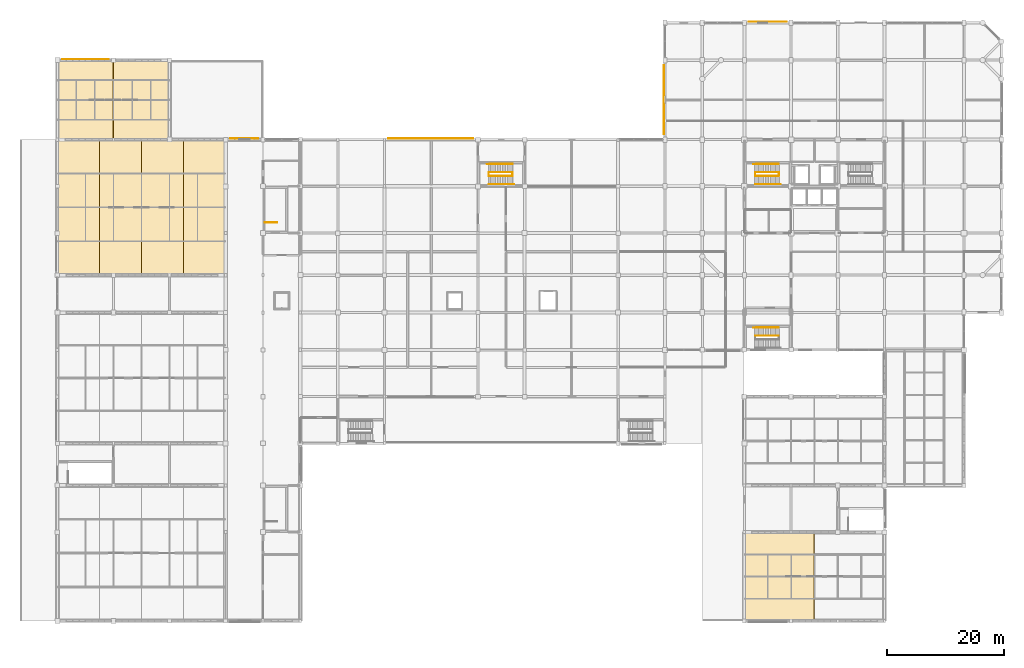
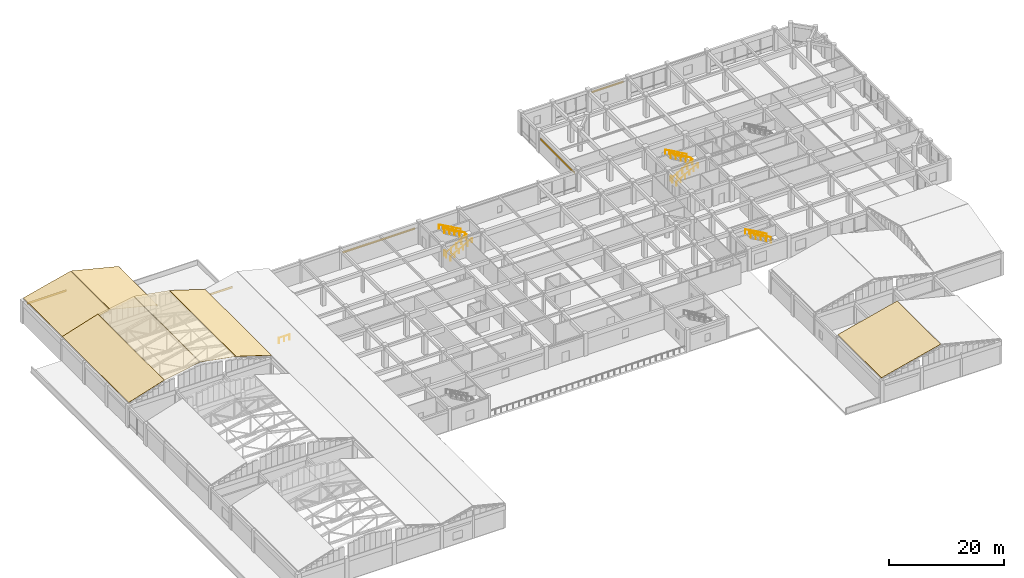
# One storey, part 60 of 61: 12 coverings, 11 railings.
"""IFC4 building model written with IfcOpenShell, lengths in metres."""

from ifc_helpers import new_model, si_unit, direction, frame, origin, origin_2d, place, context, subcontext, project, spatial, polyline, circle, outline, extrude, material, layer, layer_set, type_object, element, save


model = new_model("IFC4")

# Units and contexts
model_context = context("Model", 3, precision=1e-05, world=origin(), true_north=direction((0.0, 1.0)))
body_context = subcontext(model_context, "Body", "Model", "MODEL_VIEW")
ifc_project = project(units=[si_unit("LENGTHUNIT", "METRE"), si_unit("AREAUNIT", "SQUARE_METRE"), si_unit("VOLUMEUNIT", "CUBIC_METRE"), si_unit("PLANEANGLEUNIT", "RADIAN"), si_unit("MASSUNIT", "GRAM", prefix="KILO")], contexts=[model_context])

# Site, building, storey
site_placement = place(None, origin())
site = spatial("IfcSite", under=ifc_project, at=site_placement, CompositionType="ELEMENT")
building_placement = place(site_placement, origin())
building = spatial("IfcBuilding", under=site, at=building_placement, Name="Vellmiral Cinema and Media Centre", CompositionType="ELEMENT")
storey_placement = place(building_placement, frame((0.0, 0.0, 10.800048828125)))
storey = spatial("IfcBuildingStorey", under=building, at=storey_placement, Name="L02", CompositionType="ELEMENT", Elevation=10.800048828125)

# Coverings
ifc_material_1 = material(Name="Polychrome Trencadis Ceramic Mosaic")
ifc_layer_1 = layer(ifc_material_1, 0.034912109375, Name="Polychrome Trencadis Ceramic Mosaic")
ifc_layer_set_1 = layer_set([ifc_layer_1], Name="Polychrome Trencadis Ceramic Mosaic")
covering_type_1 = type_object("IfcCoveringType", Name="COV-TRENCADIS-CLAD", PredefinedType="CLADDING", material=ifc_layer_set_1)
covering_1_placement = place(storey_placement, frame((0.0, 0.0, 3.3798828125)))
element("IfcCovering", 1, at=covering_1_placement, inside=storey, type_object=covering_type_1, Name="Trencadis Spandrel Mosaic L02-056", PredefinedType="CLADDING", context=body_context, shape_type="SweptSolid", body=[
    extrude(outline(polyline([(131.25, 115.407958984375), (124.75, 115.407958984375), (124.75, 115.373046875), (131.25, 115.373046875), (131.25, 115.407958984375)])), origin(), (0.0, 0.0, 1.0), 0.47998046875),
])
covering_2_placement = place(storey_placement, frame((0.0, 0.0, 2.96484375)))
element("IfcCovering", 2, at=covering_2_placement, inside=storey, type_object=covering_type_1, Name="Trencadis Spandrel Mosaic L02-060", PredefinedType="CLADDING", context=body_context, shape_type="SweptSolid", body=[
    extrude(outline(polyline([(110.221923828125, 107.925048828125), (110.221923828125, 96.074951171875), (110.257080078125, 96.074951171875), (110.257080078125, 107.925048828125), (110.221923828125, 107.925048828125)])), origin(), (0.0, 0.0, 1.0), 0.480224609375),
])
covering_3_placement = place(storey_placement, frame((0.0, 0.0, 2.96484375)))
element("IfcCovering", 3, at=covering_3_placement, inside=storey, type_object=covering_type_1, Name="Trencadis Spandrel Mosaic L02-064", PredefinedType="CLADDING", context=body_context, shape_type="SweptSolid", body=[
    extrude(outline(polyline([(77.60009765625, 95.407958984375), (63.0, 95.407958984375), (63.0, 95.373046875), (77.60009765625, 95.373046875), (77.60009765625, 95.407958984375)])), origin(), (0.0, 0.0, 1.0), 0.480224609375),
])
covering_4_placement = place(storey_placement, frame((0.0, 0.0, 3.369873046875)))
element("IfcCovering", 4, at=covering_4_placement, inside=storey, type_object=covering_type_1, Name="Trencadis Spandrel Mosaic L02-068", PredefinedType="CLADDING", context=body_context, shape_type="SweptSolid", body=[
    extrude(outline(polyline([(40.824951171875, 95.407958984375), (36.0, 95.407958984375), (36.0, 95.373046875), (40.824951171875, 95.373046875), (40.824951171875, 95.407958984375)])), origin(), (0.0, 0.0, 1.0), 0.47998046875),
])
covering_5_placement = place(storey_placement, frame((0.0, 0.0, 3.3798828125)))
element("IfcCovering", 5, at=covering_5_placement, inside=storey, type_object=covering_type_1, Name="Trencadis Spandrel Mosaic L02-072", PredefinedType="CLADDING", context=body_context, shape_type="SweptSolid", body=[
    extrude(outline(polyline([(15.199951171875, 108.97802734375), (7.22509765625, 108.97802734375), (7.22509765625, 108.943115234375), (15.199951171875, 108.943115234375), (15.199951171875, 108.97802734375)])), origin(), (0.0, 0.0, 1.0), 0.47998046875),
])
ifc_material_2 = material(Name="Glazed Catalan Ceramic Roof Tile")
ifc_layer_2 = layer(ifc_material_2, 0.044921875, Name="Glazed Catalan Ceramic Roof Tile")
ifc_layer_set_2 = layer_set([ifc_layer_2], Name="Glazed Catalan Ceramic Roof Tile")
covering_type_2 = type_object("IfcCoveringType", Name="COV-VAULT-ROOFING", PredefinedType="ROOFING", material=ifc_layer_set_2)
covering_6_placement = place(storey_placement, frame((6.39990234375, 72.0, 5.223876953125), z_axis=(-0.300691388993, 0.0, 0.953721494245), x_axis=(0.953721494245, 0.0, 0.300691388993)))
element("IfcCovering", 6, at=covering_6_placement, inside=storey, type_object=covering_type_2, Name="Cinema Screen 3 Catalan Ceramic Vault Roofing A1", PredefinedType="ROOFING", context=body_context, shape_type="SweptSolid", body=[
    extrude(outline(polyline([(0.0, 0.0), (7.5160441846787185, 0.0), (7.5160441846787185, 23.199951171875), (0.0, 23.199951171875), (0.0, 0.0)])), origin(), (0.0, 0.0, -1.0), 0.044921875),
])
covering_7_placement = place(storey_placement, frame((13.632080078125, 72.0, 7.482666015625), z_axis=(-0.182240039857, 0.0, 0.983254070865), x_axis=(0.983254070865, 0.0, 0.182240039857)))
element("IfcCovering", 7, at=covering_7_placement, inside=storey, type_object=covering_type_2, Name="Cinema Screen 3 Catalan Ceramic Vault Roofing A2", PredefinedType="ROOFING", context=body_context, shape_type="SweptSolid", body=[
    extrude(outline(polyline([(0.0, 0.0), (7.247588303249432, 0.0), (7.247588303249432, 23.199951171875004), (0.0, 23.199951171875004), (0.0, 0.0)])), origin(), (0.0, 0.0, -1.0), 0.044921875),
])
covering_8_placement = place(storey_placement, frame((20.841552734375, 72.0, 8.803466796875), z_axis=(0.182234003958, 0.0, 0.983255189562), x_axis=(0.983255189562, 0.0, -0.182234003958)))
element("IfcCovering", 8, at=covering_8_placement, inside=storey, type_object=covering_type_2, Name="Cinema Screen 3 Catalan Ceramic Vault Roofing B2", PredefinedType="ROOFING", context=body_context, shape_type="SweptSolid", body=[
    extrude(outline(polyline([(0.0, 0.0), (7.247828355649389, 0.0), (7.247828355649389, 23.199951171875), (0.0, 23.199951171875), (0.0, 0.0)])), origin(), (0.0, 0.0, -1.0), 0.044921875),
])
covering_9_placement = place(storey_placement, frame((28.031982421875, 72.0, 7.48388671875), z_axis=(0.300700704491, 0.0, 0.953718557185), x_axis=(0.953718557185, 0.0, -0.300700704491)))
element("IfcCovering", 9, at=covering_9_placement, inside=storey, type_object=covering_type_2, Name="Cinema Screen 3 Catalan Ceramic Vault Roofing B1", PredefinedType="ROOFING", context=body_context, shape_type="SweptSolid", body=[
    extrude(outline(polyline([(0.0, 0.0), (7.51581134287556, 0.0), (7.51581134287556, 23.199951171875), (0.0, 23.199951171875), (0.0, 0.0)])), origin(), (0.0, 0.0, -1.0), 0.044921875),
])
for number, where, z_axis, x_axis, name in (
    (10, (6.39990234375, 95.199951171875, 5.21728515625), (-0.241929129369, 0.0, 0.970293922666), (0.970293922666, 0.0, 0.241929129369), "Cinema Screen 4 Catalan Ceramic Vault Roofing A"),
    (11, (16.04150390625, 95.199951171875, 7.6005859375), (0.241929129369, 0.0, 0.970293922666), (0.970293922666, 0.0, -0.241929129369), "Cinema Screen 4 Catalan Ceramic Vault Roofing B"),
):
    element("IfcCovering", number, at=place(storey_placement, frame(where, z_axis=z_axis, x_axis=x_axis)), inside=storey, type_object=covering_type_2, Name=name, PredefinedType="ROOFING", context=body_context, shape_type="SweptSolid", body=[
        extrude(outline(polyline([(0.0, 0.0), (9.85123530789139, 0.0), (9.85123530789139, 13.60009765625), (0.0, 13.60009765625), (0.0, 0.0)])), origin(), (0.0, 0.0, -1.0), 0.044921875),
    ])
covering_10_placement = place(storey_placement, frame((124.0, 12.800048828125, 5.21728515625), z_axis=(-0.241929649535, 0.0, 0.97029379297), x_axis=(0.97029379297, 0.0, 0.241929649535)))
element("IfcCovering", 12, at=covering_10_placement, inside=storey, type_object=covering_type_2, Name="Cinema Screen 5 Catalan Ceramic Vault Roofing A", PredefinedType="ROOFING", context=body_context, shape_type="SweptSolid", body=[
    extrude(outline(polyline([(0.0, 0.0), (12.324613617436892, 0.0), (12.324613617436892, 15.199951171875), (0.0, 15.199951171875), (0.0, 0.0)])), origin(), (0.0, 0.0, -1.0), 0.044921875),
])

# Railings
ifc_material_3 = material(Name="Brushed Stainless Steel Handrail", Category="steel")
railing_type_1 = type_object("IfcRailingType", Name="RL-HANDRAIL-900", PredefinedType="HANDRAIL", material=ifc_material_3)
railing_1_placement = place(storey_placement, frame((80.25, 87.56005859375, 0.159912109375)))
element("IfcRailing", 13, at=railing_1_placement, inside=storey, type_object=railing_type_1, Name="Stair Wall Handrail ST-P5 L02-1", PredefinedType="HANDRAIL", context=body_context, shape_type="SweptSolid", body=[
    extrude(circle(Radius=0.02392578125, at=origin_2d()), frame((0.0, 0.0, 0.8759765625), z_axis=(0.875569800069, 0.0, 0.483091632309), x_axis=(0.0, 1.0, 0.0)), (0.0, 0.0, 1.0), 4.96826171875),
    extrude(circle(Radius=0.02099609375, at=origin_2d()), origin(), (0.0, 0.0, 1.0), 0.851806640625),
    extrude(circle(Radius=0.02099609375, at=origin_2d()), frame((0.8701171875, 0.0, 0.47998046875)), (0.0, 0.0, 1.0), 0.851806640625),
    extrude(circle(Radius=0.02099609375, at=origin_2d()), frame((1.739990234375, 0.0, 0.9599609375)), (0.0, 0.0, 1.0), 0.851806640625),
    extrude(circle(Radius=0.02099609375, at=origin_2d()), frame((2.610107421875, 0.0, 1.440185546875)), (0.0, 0.0, 1.0), 0.851806640625),
    extrude(circle(Radius=0.02099609375, at=origin_2d()), frame((3.47998046875, 0.0, 1.920166015625)), (0.0, 0.0, 1.0), 0.851806640625),
    extrude(circle(Radius=0.02099609375, at=origin_2d()), frame((4.35009765625, 0.0, 2.400146484375)), (0.0, 0.0, 1.0), 0.851806640625),
])
railing_2_placement = place(storey_placement, frame((84.31005859375, 91.0400390625, 2.56005859375)))
element("IfcRailing", 14, at=railing_2_placement, inside=storey, type_object=railing_type_1, Name="Stair Wall Handrail ST-P5 L02-2", PredefinedType="HANDRAIL", context=body_context, shape_type="SweptSolid", body=[
    extrude(circle(Radius=0.02392578125, at=origin_2d()), frame((0.0, 0.0, 0.8759765625), z_axis=(-0.875590584852, 0.0, 0.483053959428), x_axis=(0.0, -1.0, 0.0)), (0.0, 0.0, 1.0), 4.96826171875),
    extrude(circle(Radius=0.02099609375, at=origin_2d()), origin(), (0.0, 0.0, 1.0), 0.851806640625),
    extrude(circle(Radius=0.02099609375, at=origin_2d()), frame((-0.8701171875, 0.0, 0.47998046875)), (0.0, 0.0, 1.0), 0.851806640625),
    extrude(circle(Radius=0.02099609375, at=origin_2d()), frame((-1.739990234375, 0.0, 0.9599609375)), (0.0, 0.0, 1.0), 0.851806640625),
    extrude(circle(Radius=0.02099609375, at=origin_2d()), frame((-2.610107421875, 0.0, 1.43994140625)), (0.0, 0.0, 1.0), 0.851806640625),
    extrude(circle(Radius=0.02099609375, at=origin_2d()), frame((-3.47998046875, 0.0, 1.919921875)), (0.0, 0.0, 1.0), 0.851806640625),
    extrude(circle(Radius=0.02099609375, at=origin_2d()), frame((-4.35009765625, 0.0, 2.39990234375)), (0.0, 0.0, 1.0), 0.851806640625),
])
railing_3_placement = place(storey_placement, frame((129.909912109375, 63.0400390625, 2.56005859375)))
element("IfcRailing", 15, at=railing_3_placement, inside=storey, type_object=railing_type_1, Name="Stair Wall Handrail ST-P6 L02-2", PredefinedType="HANDRAIL", context=body_context, shape_type="SweptSolid", body=[
    extrude(circle(Radius=0.02392578125, at=origin_2d()), frame((0.0, 0.0, 0.8759765625), z_axis=(-0.875579117544, 0.0, 0.483074744652), x_axis=(0.0, -1.0, 0.0)), (0.0, 0.0, 1.0), 4.968017578125),
    extrude(circle(Radius=0.02099609375, at=origin_2d()), origin(), (0.0, 0.0, 1.0), 0.851806640625),
    extrude(circle(Radius=0.02099609375, at=origin_2d()), frame((-0.869873046875, 0.0, 0.47998046875)), (0.0, 0.0, 1.0), 0.851806640625),
    extrude(circle(Radius=0.02099609375, at=origin_2d()), frame((-1.739990234375, 0.0, 0.9599609375)), (0.0, 0.0, 1.0), 0.851806640625),
    extrude(circle(Radius=0.02099609375, at=origin_2d()), frame((-2.60986328125, 0.0, 1.43994140625)), (0.0, 0.0, 1.0), 0.851806640625),
    extrude(circle(Radius=0.02099609375, at=origin_2d()), frame((-3.47998046875, 0.0, 1.919921875)), (0.0, 0.0, 1.0), 0.851806640625),
    extrude(circle(Radius=0.02099609375, at=origin_2d()), frame((-4.349853515625, 0.0, 2.39990234375)), (0.0, 0.0, 1.0), 0.851806640625),
])
railing_4_placement = place(storey_placement, frame((125.85009765625, 87.56005859375, 0.159912109375)))
element("IfcRailing", 16, at=railing_4_placement, inside=storey, type_object=railing_type_1, Name="Stair Wall Handrail ST-T1 L02-1", PredefinedType="HANDRAIL", context=body_context, shape_type="SweptSolid", body=[
    extrude(circle(Radius=0.02392578125, at=origin_2d()), frame((0.0, 0.0, 0.8759765625), z_axis=(0.875558331245, 0.0, 0.483112418167), x_axis=(0.0, 1.0, 0.0)), (0.0, 0.0, 1.0), 4.968017578125),
    extrude(circle(Radius=0.02099609375, at=origin_2d()), origin(), (0.0, 0.0, 1.0), 0.851806640625),
    extrude(circle(Radius=0.02099609375, at=origin_2d()), frame((0.869873046875, 0.0, 0.47998046875)), (0.0, 0.0, 1.0), 0.851806640625),
    extrude(circle(Radius=0.02099609375, at=origin_2d()), frame((1.739990234375, 0.0, 0.9599609375)), (0.0, 0.0, 1.0), 0.851806640625),
    extrude(circle(Radius=0.02099609375, at=origin_2d()), frame((2.60986328125, 0.0, 1.440185546875)), (0.0, 0.0, 1.0), 0.851806640625),
    extrude(circle(Radius=0.02099609375, at=origin_2d()), frame((3.47998046875, 0.0, 1.920166015625)), (0.0, 0.0, 1.0), 0.851806640625),
    extrude(circle(Radius=0.02099609375, at=origin_2d()), frame((4.349853515625, 0.0, 2.400146484375)), (0.0, 0.0, 1.0), 0.851806640625),
])
railing_5_placement = place(storey_placement, frame((129.909912109375, 91.0400390625, 2.56005859375)))
element("IfcRailing", 17, at=railing_5_placement, inside=storey, type_object=railing_type_1, Name="Stair Wall Handrail ST-T1 L02-2", PredefinedType="HANDRAIL", context=body_context, shape_type="SweptSolid", body=[
    extrude(circle(Radius=0.02392578125, at=origin_2d()), frame((0.0, 0.0, 0.8759765625), z_axis=(-0.875579117544, 0.0, 0.483074744652), x_axis=(0.0, -1.0, 0.0)), (0.0, 0.0, 1.0), 4.968017578125),
    extrude(circle(Radius=0.02099609375, at=origin_2d()), origin(), (0.0, 0.0, 1.0), 0.851806640625),
    extrude(circle(Radius=0.02099609375, at=origin_2d()), frame((-0.869873046875, 0.0, 0.47998046875)), (0.0, 0.0, 1.0), 0.851806640625),
    extrude(circle(Radius=0.02099609375, at=origin_2d()), frame((-1.739990234375, 0.0, 0.9599609375)), (0.0, 0.0, 1.0), 0.851806640625),
    extrude(circle(Radius=0.02099609375, at=origin_2d()), frame((-2.60986328125, 0.0, 1.43994140625)), (0.0, 0.0, 1.0), 0.851806640625),
    extrude(circle(Radius=0.02099609375, at=origin_2d()), frame((-3.47998046875, 0.0, 1.919921875)), (0.0, 0.0, 1.0), 0.851806640625),
    extrude(circle(Radius=0.02099609375, at=origin_2d()), frame((-4.349853515625, 0.0, 2.39990234375)), (0.0, 0.0, 1.0), 0.851806640625),
])
ifc_material_4 = material(Name="Painted Steel Stair Guardrail", Category="steel")
railing_type_2 = type_object("IfcRailingType", Name="RL-STAIR-GUARD-1120", PredefinedType="GUARDRAIL", material=ifc_material_4)
railing_6_placement = place(storey_placement, frame((41.89990234375, 81.0, 0.0)))
element("IfcRailing", 18, at=railing_6_placement, inside=storey, type_object=railing_type_2, Name="Top-Landing Stairwell Guard ST-P2 L02", PredefinedType="GUARDRAIL", context=body_context, shape_type="SweptSolid", body=[
    extrude(circle(Radius=0.02392578125, at=origin_2d()), frame((0.0, 0.0, 1.09619140625), z_axis=(1.0, 0.0, 0.0), x_axis=(0.0, 1.0, 0.0)), (0.0, 0.0, 1.0), 2.14013671875),
    extrude(circle(Radius=0.02099609375, at=origin_2d()), origin(), (0.0, 0.0, 1.0), 1.072021484375),
    extrude(circle(Radius=0.02099609375, at=origin_2d()), frame((1.070068359375, 0.0, 0.0)), (0.0, 0.0, 1.0), 1.072021484375),
    extrude(circle(Radius=0.02099609375, at=origin_2d()), frame((2.14013671875, 0.0, 0.0)), (0.0, 0.0, 1.0), 1.072021484375),
])
railing_7_placement = place(storey_placement, frame((80.25, 89.580078125, 0.0)))
element("IfcRailing", 19, at=railing_7_placement, inside=storey, type_object=railing_type_2, Name="Stair Well Guard ST-P5 L02-A", PredefinedType="GUARDRAIL", context=body_context, shape_type="SweptSolid", body=[
    extrude(circle(Radius=0.02392578125, at=origin_2d()), frame((0.0, 0.0, 1.09619140625), z_axis=(0.0, -1.0, 0.0), x_axis=(1.0, 0.0, 0.0)), (0.0, 0.0, 1.0), 0.60009765625),
    extrude(circle(Radius=0.02392578125, at=origin_2d()), frame((0.0, -0.60009765625, 1.09619140625), z_axis=(0.8608543813, 0.0, 0.508851387142), x_axis=(0.0, 1.0, 0.0)), (0.0, 0.0, 1.0), 4.71630859375),
    extrude(circle(Radius=0.02392578125, at=origin_2d()), frame((4.06005859375, -0.60009765625, 3.49609375), z_axis=(0.0, 1.0, 0.0), x_axis=(-1.0, 0.0, 0.0)), (0.0, 0.0, 1.0), 0.64013671875),
    extrude(circle(Radius=0.02099609375, at=origin_2d()), origin(), (0.0, 0.0, 1.0), 1.072021484375),
    extrude(circle(Radius=0.02099609375, at=origin_2d()), frame((0.0, -0.60009765625, 0.0)), (0.0, 0.0, 1.0), 1.072021484375),
    extrude(circle(Radius=0.02099609375, at=origin_2d()), frame((1.01513671875, -0.60009765625, 0.60009765625)), (0.0, 0.0, 1.0), 1.072021484375),
    extrude(circle(Radius=0.02099609375, at=origin_2d()), frame((2.030029296875, -0.60009765625, 1.199951171875)), (0.0, 0.0, 1.0), 1.072021484375),
    extrude(circle(Radius=0.02099609375, at=origin_2d()), frame((3.044921875, -0.60009765625, 1.7998046875)), (0.0, 0.0, 1.0), 1.072021484375),
    extrude(circle(Radius=0.02099609375, at=origin_2d()), frame((4.06005859375, -0.60009765625, 2.39990234375)), (0.0, 0.0, 1.0), 1.072021484375),
    extrude(circle(Radius=0.02099609375, at=origin_2d()), frame((4.06005859375, 0.0400390625, 2.39990234375)), (0.0, 0.0, 1.0), 1.072021484375),
])
railing_8_placement = place(storey_placement, frame((84.31005859375, 89.6201171875, 2.39990234375)))
element("IfcRailing", 20, at=railing_8_placement, inside=storey, type_object=railing_type_2, Name="Stair Well Guard ST-P5 L02-B", PredefinedType="GUARDRAIL", context=body_context, shape_type="SweptSolid", body=[
    extrude(circle(Radius=0.02392578125, at=origin_2d()), frame((0.0, 0.0, 1.09619140625), z_axis=(-0.860831705478, 0.0, 0.508889747237), x_axis=(0.0, -1.0, 0.0)), (0.0, 0.0, 1.0), 4.716552734375),
    extrude(circle(Radius=0.02099609375, at=origin_2d()), origin(), (0.0, 0.0, 1.0), 1.072021484375),
    extrude(circle(Radius=0.02099609375, at=origin_2d()), frame((-1.01513671875, 0.0, 0.60009765625)), (0.0, 0.0, 1.0), 1.072021484375),
    extrude(circle(Radius=0.02099609375, at=origin_2d()), frame((-2.030029296875, 0.0, 1.2001953125)), (0.0, 0.0, 1.0), 1.072021484375),
    extrude(circle(Radius=0.02099609375, at=origin_2d()), frame((-3.044921875, 0.0, 1.800048828125)), (0.0, 0.0, 1.0), 1.072021484375),
    extrude(circle(Radius=0.02099609375, at=origin_2d()), frame((-4.06005859375, 0.0, 2.400146484375)), (0.0, 0.0, 1.0), 1.072021484375),
])
railing_9_placement = place(storey_placement, frame((129.909912109375, 61.6201171875, 2.39990234375)))
element("IfcRailing", 21, at=railing_9_placement, inside=storey, type_object=railing_type_2, Name="Stair Well Guard ST-P6 L02-B", PredefinedType="GUARDRAIL", context=body_context, shape_type="SweptSolid", body=[
    extrude(circle(Radius=0.02392578125, at=origin_2d()), frame((0.0, 0.0, 1.09619140625), z_axis=(-0.860818299379, 0.0, 0.50891242415), x_axis=(0.0, -1.0, 0.0)), (0.0, 0.0, 1.0), 4.71630859375),
    extrude(circle(Radius=0.02099609375, at=origin_2d()), origin(), (0.0, 0.0, 1.0), 1.072021484375),
    extrude(circle(Radius=0.02099609375, at=origin_2d()), frame((-1.014892578125, 0.0, 0.60009765625)), (0.0, 0.0, 1.0), 1.072021484375),
    extrude(circle(Radius=0.02099609375, at=origin_2d()), frame((-2.02978515625, 0.0, 1.2001953125)), (0.0, 0.0, 1.0), 1.072021484375),
    extrude(circle(Radius=0.02099609375, at=origin_2d()), frame((-3.044921875, 0.0, 1.800048828125)), (0.0, 0.0, 1.0), 1.072021484375),
    extrude(circle(Radius=0.02099609375, at=origin_2d()), frame((-4.059814453125, 0.0, 2.400146484375)), (0.0, 0.0, 1.0), 1.072021484375),
])
railing_10_placement = place(storey_placement, frame((125.85009765625, 89.580078125, 0.0)))
element("IfcRailing", 22, at=railing_10_placement, inside=storey, type_object=railing_type_2, Name="Stair Well Guard ST-T1 L02-A", PredefinedType="GUARDRAIL", context=body_context, shape_type="SweptSolid", body=[
    extrude(circle(Radius=0.02392578125, at=origin_2d()), frame((0.0, 0.0, 1.09619140625), z_axis=(0.0, -1.0, 0.0), x_axis=(1.0, 0.0, 0.0)), (0.0, 0.0, 1.0), 0.60009765625),
    extrude(circle(Radius=0.02392578125, at=origin_2d()), frame((0.0, -0.60009765625, 1.09619140625), z_axis=(0.860840976868, 0.0, 0.508874063541), x_axis=(0.0, 1.0, 0.0)), (0.0, 0.0, 1.0), 4.716064453125),
    extrude(circle(Radius=0.02392578125, at=origin_2d()), frame((4.059814453125, -0.60009765625, 3.49609375), z_axis=(0.0, 1.0, 0.0), x_axis=(-1.0, 0.0, 0.0)), (0.0, 0.0, 1.0), 0.64013671875),
    extrude(circle(Radius=0.02099609375, at=origin_2d()), origin(), (0.0, 0.0, 1.0), 1.072021484375),
    extrude(circle(Radius=0.02099609375, at=origin_2d()), frame((0.0, -0.60009765625, 0.0)), (0.0, 0.0, 1.0), 1.072021484375),
    extrude(circle(Radius=0.02099609375, at=origin_2d()), frame((1.014892578125, -0.60009765625, 0.60009765625)), (0.0, 0.0, 1.0), 1.072021484375),
    extrude(circle(Radius=0.02099609375, at=origin_2d()), frame((2.02978515625, -0.60009765625, 1.199951171875)), (0.0, 0.0, 1.0), 1.072021484375),
    extrude(circle(Radius=0.02099609375, at=origin_2d()), frame((3.044921875, -0.60009765625, 1.7998046875)), (0.0, 0.0, 1.0), 1.072021484375),
    extrude(circle(Radius=0.02099609375, at=origin_2d()), frame((4.059814453125, -0.60009765625, 2.39990234375)), (0.0, 0.0, 1.0), 1.072021484375),
    extrude(circle(Radius=0.02099609375, at=origin_2d()), frame((4.059814453125, 0.0400390625, 2.39990234375)), (0.0, 0.0, 1.0), 1.072021484375),
])
railing_11_placement = place(storey_placement, frame((129.909912109375, 89.6201171875, 2.39990234375)))
element("IfcRailing", 23, at=railing_11_placement, inside=storey, type_object=railing_type_2, Name="Stair Well Guard ST-T1 L02-B", PredefinedType="GUARDRAIL", context=body_context, shape_type="SweptSolid", body=[
    extrude(circle(Radius=0.02392578125, at=origin_2d()), frame((0.0, 0.0, 1.09619140625), z_axis=(-0.860818299379, 0.0, 0.50891242415), x_axis=(0.0, -1.0, 0.0)), (0.0, 0.0, 1.0), 4.71630859375),
    extrude(circle(Radius=0.02099609375, at=origin_2d()), origin(), (0.0, 0.0, 1.0), 1.072021484375),
    extrude(circle(Radius=0.02099609375, at=origin_2d()), frame((-1.014892578125, 0.0, 0.60009765625)), (0.0, 0.0, 1.0), 1.072021484375),
    extrude(circle(Radius=0.02099609375, at=origin_2d()), frame((-2.02978515625, 0.0, 1.2001953125)), (0.0, 0.0, 1.0), 1.072021484375),
    extrude(circle(Radius=0.02099609375, at=origin_2d()), frame((-3.044921875, 0.0, 1.800048828125)), (0.0, 0.0, 1.0), 1.072021484375),
    extrude(circle(Radius=0.02099609375, at=origin_2d()), frame((-4.059814453125, 0.0, 2.400146484375)), (0.0, 0.0, 1.0), 1.072021484375),
])

save(model, "model.ifc")
